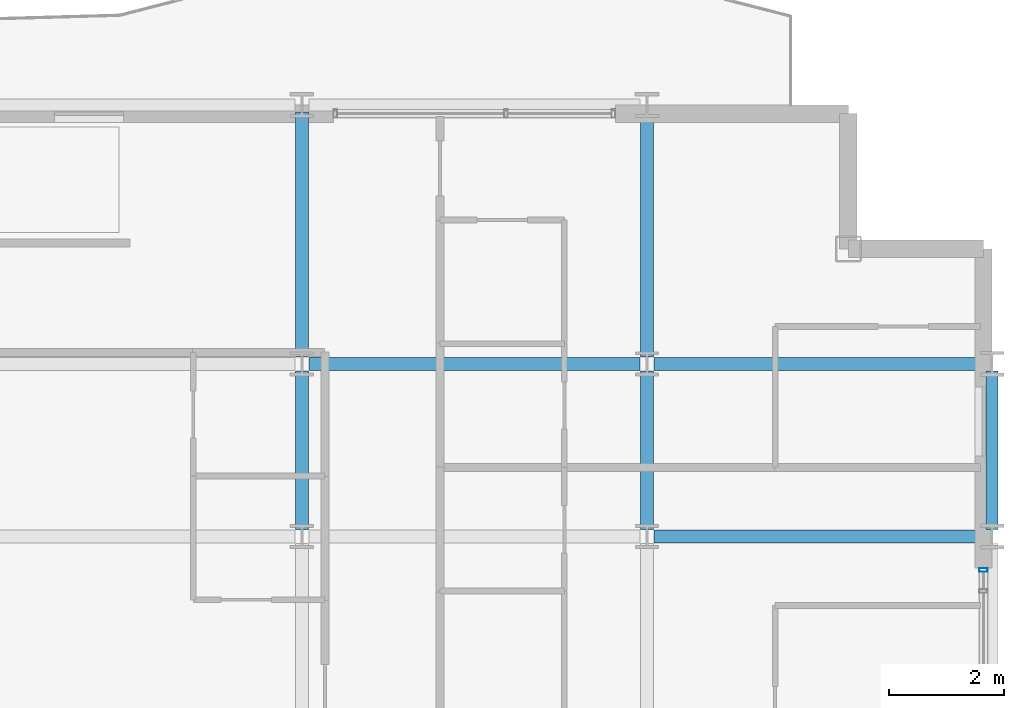
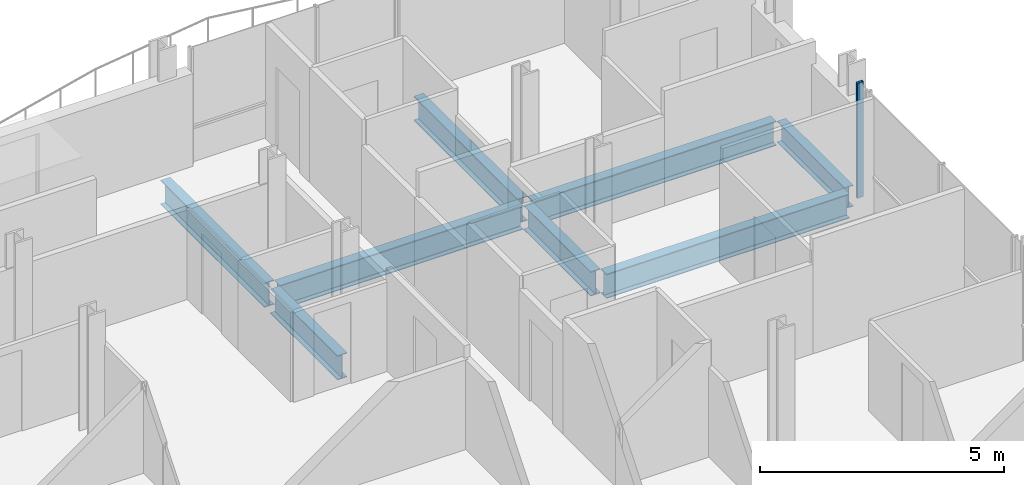
# One storey, part 20 of 41: 8 beams, 1 member, 1 element without a shape of its own.
"""IFC4 building model written with IfcOpenShell, lengths in metres."""

from ifc_helpers import new_model, si_unit, direction, frame, origin, origin_2d, place, context, subcontext, project, spatial, hollow_rectangle, i_section, extrude, material, layer, layer_set, material_profile, profile_set, type_object, element, aggregate, save


model = new_model("IFC4")

# Units and contexts
model_context = context("Model", 3, precision=1e-05, world=origin(), true_north=direction((0.0, 1.0)))
body_context = subcontext(model_context, "Body", "Model", "MODEL_VIEW")
ifc_project = project(units=[si_unit("LENGTHUNIT", "METRE"), si_unit("AREAUNIT", "SQUARE_METRE"), si_unit("VOLUMEUNIT", "CUBIC_METRE"), si_unit("PLANEANGLEUNIT", "RADIAN"), si_unit("MASSUNIT", "GRAM", prefix="KILO")], contexts=[model_context])

# Site, building, storey
site_placement = place(None, origin())
site = spatial("IfcSite", under=ifc_project, at=site_placement, CompositionType="ELEMENT")
building_placement = place(site_placement, origin())
building = spatial("IfcBuilding", under=site, at=building_placement, Name="Brevholm Reach", CompositionType="ELEMENT")
storey_placement = place(building_placement, frame((0.0, 0.0, 106.60009765625)))
storey = spatial("IfcBuildingStorey", under=building, at=storey_placement, Name="L31", CompositionType="ELEMENT", Elevation=106.60009765625)

# Beams
ifc_material_1 = material(Name="Structural Steel S355J2", Category="steel")
ifc_material_profile_1 = material_profile(ifc_material_1, i_section(OverallWidth=0.209228515625, OverallDepth=0.533203125, WebThickness=0.010009765625, FlangeThickness=0.015625, FilletRadius=0.0126953125, at=origin_2d()), Name="UKB 533x210x92")
ifc_profile_set_1 = profile_set([ifc_material_profile_1], Name="Structural Steel S355J2")
beam_type_1 = type_object("IfcBeamType", Name="BM-SP533", PredefinedType="SPANDREL", material=ifc_profile_set_1)
beam_1_placement = place(storey_placement, frame((60.0, 23.6201171875, -0.486572265625), z_axis=(0.0, 1.0, 0.0), x_axis=(-1.0, 0.0, 0.0)))
element("IfcBeam", 1, at=beam_1_placement, inside=storey, type_object=beam_type_1, Name="L31 SP-02 Framing Beam", PredefinedType="SPANDREL", context=body_context, shape_type="SweptSolid", body=[
    extrude(i_section(OverallWidth=0.209228515625, OverallDepth=0.533203125, WebThickness=0.010009765625, FlangeThickness=0.015625, FilletRadius=0.0126953125, at=origin_2d()), origin(), (0.0, 0.0, 1.0), 2.759765625),
])
ifc_material_2 = material(Name="Structural Steel S355J2", Category="steel")
ifc_material_profile_2 = material_profile(ifc_material_2, i_section(OverallWidth=0.22900390625, OverallDepth=0.6123046875, WebThickness=0.011962890625, FlangeThickness=0.01953125, FilletRadius=0.0126953125, at=origin_2d()), Name="UKB 610x229x125")
ifc_profile_set_2 = profile_set([ifc_material_profile_2], Name="Structural Steel S355J2")
beam_type_2 = type_object("IfcBeamType", Name="BM-SP610", PredefinedType="SPANDREL", material=ifc_profile_set_2)
for number, where, z_axis, x_axis, name in (
    (2, (54.1201171875, 23.5, -0.526123046875), (1.0, 0.0, 0.0), (0.0, 1.0, 0.0), "L31 SP-01 Framing Beam"),
    (3, (48.1201171875, 26.5, -0.526123046875), (1.0, 0.0, 0.0), (0.0, 1.0, 0.0), "L31 SP-01 Framing Beam"),
    (4, (54.1201171875, 26.5, -0.526123046875), (1.0, 0.0, 0.0), (0.0, 1.0, 0.0), "L31 SP-01 Framing Beam"),
):
    element("IfcBeam", number, at=place(storey_placement, frame(where, z_axis=z_axis, x_axis=x_axis)), inside=storey, type_object=beam_type_2, Name=name, PredefinedType="SPANDREL", context=body_context, shape_type="SweptSolid", body=[
        extrude(i_section(OverallWidth=0.22900390625, OverallDepth=0.6123046875, WebThickness=0.011962890625, FlangeThickness=0.01953125, FilletRadius=0.0126953125, at=origin_2d()), origin(), (0.0, 0.0, 1.0), 5.759765625),
    ])
beam_2_placement = place(storey_placement, frame((48.0, 23.6201171875, -0.526123046875), z_axis=(0.0, 1.0, 0.0), x_axis=(-1.0, 0.0, 0.0)))
element("IfcBeam", 5, at=beam_2_placement, inside=storey, type_object=beam_type_2, Name="L31 SP-01 Framing Beam", PredefinedType="SPANDREL", context=body_context, shape_type="SweptSolid", body=[
    extrude(i_section(OverallWidth=0.22900390625, OverallDepth=0.6123046875, WebThickness=0.011962890625, FlangeThickness=0.01953125, FilletRadius=0.0126953125, at=origin_2d()), origin(), (0.0, 0.0, 1.0), 2.759765625),
])
beam_3_placement = place(storey_placement, frame((48.0, 26.6201171875, -0.526123046875), z_axis=(0.0, 1.0, 0.0), x_axis=(-1.0, 0.0, 0.0)))
element("IfcBeam", 6, at=beam_3_placement, inside=storey, type_object=beam_type_2, Name="L31 SP-01 Framing Beam", PredefinedType="SPANDREL", context=body_context, shape_type="SweptSolid", body=[
    extrude(i_section(OverallWidth=0.22900390625, OverallDepth=0.6123046875, WebThickness=0.011962890625, FlangeThickness=0.01953125, FilletRadius=0.0126953125, at=origin_2d()), origin(), (0.0, 0.0, 1.0), 4.259765625),
])
beam_4_placement = place(storey_placement, frame((54.0, 23.6201171875, -0.526123046875), z_axis=(0.0, 1.0, 0.0), x_axis=(-1.0, 0.0, 0.0)))
element("IfcBeam", 7, at=beam_4_placement, inside=storey, type_object=beam_type_2, Name="L31 SP-01 Framing Beam", PredefinedType="SPANDREL", context=body_context, shape_type="SweptSolid", body=[
    extrude(i_section(OverallWidth=0.22900390625, OverallDepth=0.6123046875, WebThickness=0.011962890625, FlangeThickness=0.01953125, FilletRadius=0.0126953125, at=origin_2d()), origin(), (0.0, 0.0, 1.0), 2.759765625),
])
beam_5_placement = place(storey_placement, frame((54.0, 26.6201171875, -0.526123046875), z_axis=(0.0, 1.0, 0.0), x_axis=(-1.0, 0.0, 0.0)))
element("IfcBeam", 8, at=beam_5_placement, inside=storey, type_object=beam_type_2, Name="L31 SP-01 Framing Beam", PredefinedType="SPANDREL", context=body_context, shape_type="SweptSolid", body=[
    extrude(i_section(OverallWidth=0.22900390625, OverallDepth=0.6123046875, WebThickness=0.011962890625, FlangeThickness=0.01953125, FilletRadius=0.0126953125, at=origin_2d()), origin(), (0.0, 0.0, 1.0), 4.259765625),
])

# Curtain wall, member
ifc_material_3 = material(Name="Dark Anodised Aluminium 6063-T6 and Solar-Control Glass", Category="aluminium")
ifc_layer = layer(ifc_material_3, 0.14990234375)
ifc_layer_set = layer_set([ifc_layer], Name="Dark Anodised Aluminium 6063-T6 and Solar-Control Glass")
curtain_wall_type = type_object("IfcCurtainWallType", Name="CW-01", PredefinedType="NOTDEFINED", material=ifc_layer_set)
curtain_wall_placement = place(storey_placement, origin())
curtain_wall = element("IfcCurtainWall", 9, at=curtain_wall_placement, inside=storey, type_object=curtain_wall_type, Name="L31 Curtain Wall CW-01", PredefinedType="NOTDEFINED")
ifc_material_4 = material(Name="Dark Anodised Aluminium 6063-T6", Category="aluminium")
ifc_material_profile_3 = material_profile(ifc_material_4, hollow_rectangle(XDim=0.06494140625, YDim=0.14990234375, WallThickness=0.0048828125, InnerFilletRadius=0.0048828125, OuterFilletRadius=0.010009765625, at=origin_2d()), Name="RHS 150x65x5")
ifc_profile_set_3 = profile_set([ifc_material_profile_3], Name="Dark Anodised Aluminium 6063-T6")
member_type = type_object("IfcMemberType", Name="CWM-150", PredefinedType="MULLION", material=ifc_profile_set_3)
member_placement = place(storey_placement, frame((59.85009765625, 22.91748046875, 0.0), z_axis=(0.0, 0.0, 1.0), x_axis=(0.0, 1.0, 0.0)))
member = element("IfcMember", 10, at=member_placement, type_object=member_type, Name="CM-150 Mullion 6", PredefinedType="MULLION", context=body_context, shape_type="SweptSolid", body=[
    extrude(hollow_rectangle(XDim=0.06494140625, YDim=0.14990234375, WallThickness=0.0048828125, InnerFilletRadius=0.0048828125, OuterFilletRadius=0.010009765625, at=origin_2d()), origin(), (0.0, 0.0, 1.0), 2.8798828125),
])
aggregate(curtain_wall, [member])

save(model, "model.ifc")
